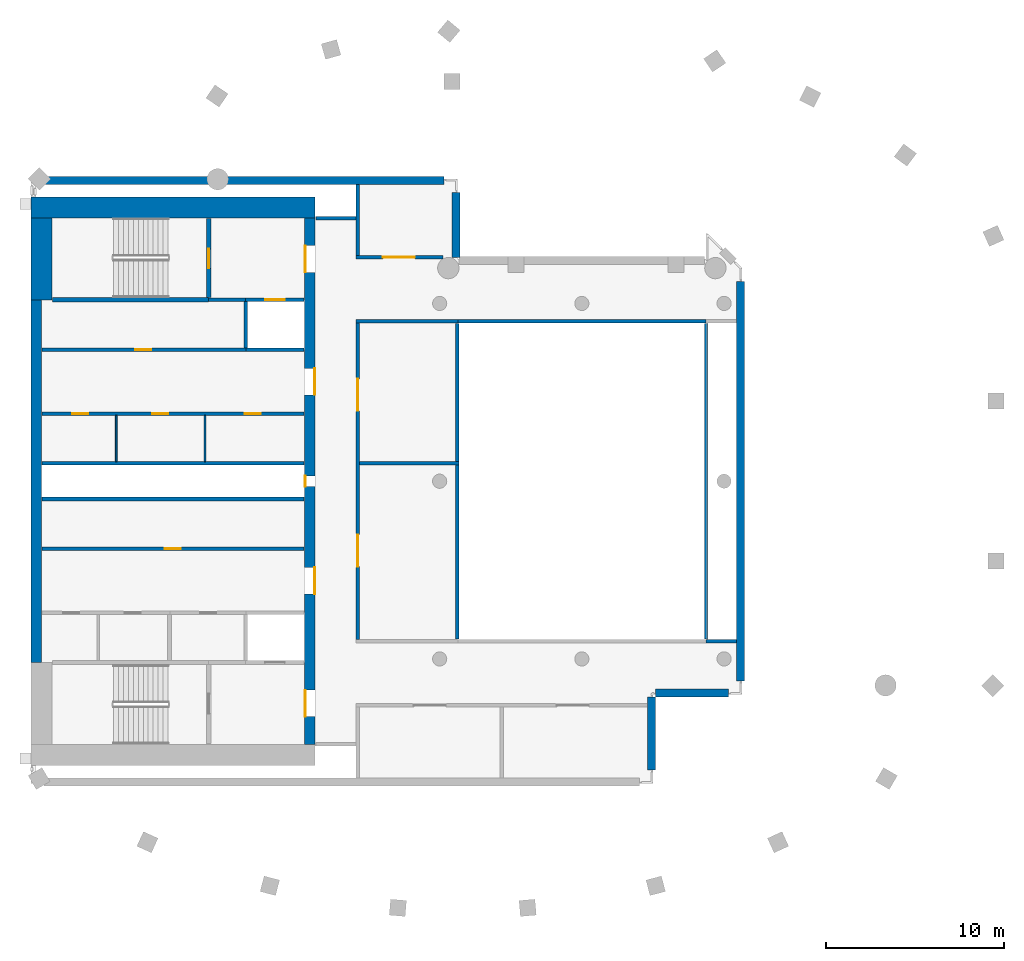
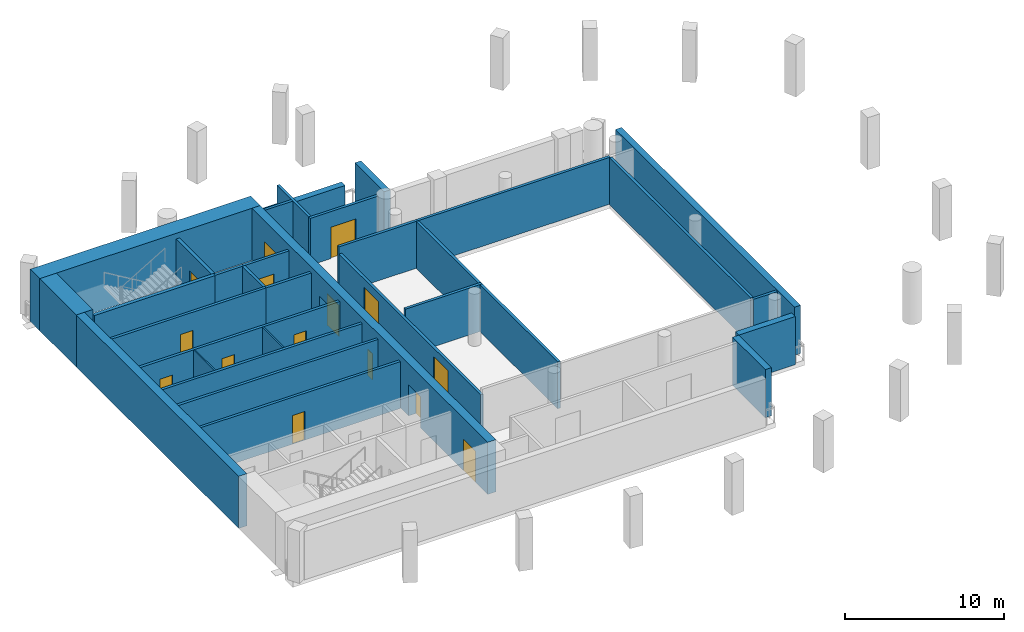
# One storey, part 2 of 8: 33 walls, 15 doors, 15 openings.
"""IFC4 building model written with IfcOpenShell, lengths in metres."""

from ifc_helpers import new_model, si_unit, direction, frame, frame_2d, origin, place, context, subcontext, project, spatial, rectangle, extrude, material, layer, layer_set, type_object, element, fill, save


model = new_model("IFC4")

# Units and contexts
model_context = context("Model", 3, precision=1e-05, world=origin(), true_north=direction((0.0, 1.0)))
body_context = subcontext(model_context, "Body", "Model", "MODEL_VIEW")
ifc_project = project(units=[si_unit("LENGTHUNIT", "METRE"), si_unit("AREAUNIT", "SQUARE_METRE"), si_unit("VOLUMEUNIT", "CUBIC_METRE"), si_unit("PLANEANGLEUNIT", "RADIAN"), si_unit("MASSUNIT", "GRAM", prefix="KILO")], contexts=[model_context])

# Site, building, storey
site_placement = place(None, origin())
site = spatial("IfcSite", under=ifc_project, at=site_placement, CompositionType="ELEMENT")
building_placement = place(site_placement, origin())
building = spatial("IfcBuilding", under=site, at=building_placement, Name="Cypress Arch Tower", CompositionType="ELEMENT")
storey_placement = place(building_placement, frame((0.0, 0.0, 339.0)))
storey = spatial("IfcBuildingStorey", under=building, at=storey_placement, Name="L77", CompositionType="ELEMENT", Elevation=339.0)

# Walls
ifc_material_1 = material(Name="Brick (red buff blend)", Category="masonry")
ifc_layer_1 = layer(ifc_material_1, 0.449951171875)
ifc_layer_set_1 = layer_set([ifc_layer_1], Name="Brick belt wall BW450-B")
wall_type_1 = type_object("IfcWallType", Name="Brick belt wall BW450-B", PredefinedType="SOLIDWALL", material=ifc_layer_set_1)
for number, where, z_axis, x_axis, name in (
    (1, (4.925048828125, -16.25, 0.0), (0.0, 0.0, 1.0), (0.0, 1.0, 0.0), "Brick wall L77 Kh01.0"),
    (2, (5.14990234375, -11.925048828125, 0.0), (0.0, 0.0, 1.0), (1.0, 0.0, 0.0), "Brick wall L77 Kh02.0"),
):
    element("IfcWall", number, at=place(storey_placement, frame(where, z_axis=z_axis, x_axis=x_axis)), inside=storey, type_object=wall_type_1, Name=name, PredefinedType="SOLIDWALL", context=body_context, shape_type="SweptSolid", body=[
        extrude(rectangle(XDim=4.10009765625, YDim=0.449951171875, at=frame_2d((2.050048828125, 0.0))), origin(), (0.0, 0.0, 1.0), 3.699951171875),
    ])
wall_1_placement = place(storey_placement, frame((9.925048828125, -11.25, 0.0), z_axis=(0.0, 0.0, 1.0), x_axis=(0.0, 1.0, 0.0)))
element("IfcWall", 3, at=wall_1_placement, inside=storey, type_object=wall_type_1, Name="Brick wall L77 Kh03.0", PredefinedType="SOLIDWALL", context=body_context, shape_type="SweptSolid", body=[
    extrude(rectangle(XDim=22.4892578125, YDim=0.449951171875, at=frame_2d((11.24462890625, 0.0))), origin(), (0.0, 0.0, 1.0), 3.699951171875),
])
wall_2_placement = place(storey_placement, frame((-6.074951171875, 12.587890625, 0.0), z_axis=(0.0, 0.0, 1.0), x_axis=(0.0, 1.0, 0.0)))
element("IfcWall", 4, at=wall_2_placement, inside=storey, type_object=wall_type_1, Name="Brick wall L77 Kh07.0", PredefinedType="SOLIDWALL", context=body_context, shape_type="SweptSolid", body=[
    extrude(rectangle(XDim=3.662109375, YDim=0.449951171875, at=frame_2d((1.8310546875, 0.0))), origin(), (0.0, 0.0, 1.0), 3.699951171875),
])
wall_3_placement = place(storey_placement, frame((-6.75, 16.925048828125, 0.0), z_axis=(0.0, 0.0, 1.0), x_axis=(-1.0, 0.0, 0.0)))
element("IfcWall", 5, at=wall_3_placement, inside=storey, type_object=wall_type_1, Name="Brick wall L77 Kh08.0", PredefinedType="SOLIDWALL", context=body_context, shape_type="SweptSolid", body=[
    extrude(rectangle(XDim=22.5, YDim=0.449951171875, at=frame_2d((11.25, 0.0))), origin(), (0.0, 0.0, 1.0), 1.85009765625),
])
ifc_material_2 = material(Name="Concrete C50/60", Category="concrete")
ifc_layer_2 = layer(ifc_material_2, 1.199951171875)
ifc_layer_set_2 = layer_set([ifc_layer_2], Name="Core wall CW1200 C50/60")
wall_type_2 = type_object("IfcWallType", Name="Core wall CW1200 C50/60", PredefinedType="SHEAR", material=ifc_layer_set_2)
wall_4_placement = place(storey_placement, frame((-30.0, 15.39990234375, 0.0), z_axis=(0.0, 0.0, 1.0), x_axis=(1.0, 0.0, 0.0)))
element("IfcWall", 6, at=wall_4_placement, inside=storey, type_object=wall_type_2, Name="Core wall", PredefinedType="SHEAR", context=body_context, shape_type="SweptSolid", body=[
    extrude(rectangle(XDim=16.0, YDim=1.199951171875, at=frame_2d((8.0, 0.0))), origin(), (0.0, 0.0, 1.0), 4.0),
])
wall_5_placement = place(storey_placement, frame((-29.39990234375, 10.199951171875, 0.0), z_axis=(0.0, 0.0, 1.0), x_axis=(0.0, 1.0, 0.0)))
element("IfcWall", 7, at=wall_5_placement, inside=storey, type_object=wall_type_2, Name="Core wall", PredefinedType="SHEAR", context=body_context, shape_type="SweptSolid", body=[
    extrude(rectangle(XDim=4.60009765625, YDim=1.199951171875, at=frame_2d((2.300048828125, 0.0))), origin(), (0.0, 0.0, 1.0), 4.0),
])

# Wall, openings, doors
ifc_material_3 = material(Name="Concrete C50/60", Category="concrete")
ifc_layer_3 = layer(ifc_material_3, 0.60009765625)
ifc_layer_set_3 = layer_set([ifc_layer_3], Name="Core wall CW600 C50/60")
wall_type_3 = type_object("IfcWallType", Name="Core wall CW600 C50/60", PredefinedType="SHEAR", material=ifc_layer_set_3)
wall_6_placement = place(storey_placement, frame((-14.300048828125, -14.800048828125, 0.0), z_axis=(0.0, 0.0, 1.0), x_axis=(0.0, 1.0, 0.0)))
wall_6 = element("IfcWall", 8, at=wall_6_placement, inside=storey, type_object=wall_type_3, Name="Core wall", PredefinedType="SHEAR", context=body_context, shape_type="SweptSolid", body=[
    extrude(rectangle(XDim=29.60009765625, YDim=0.60009765625, at=frame_2d((14.800048828125, 0.0))), origin(), (0.0, 0.0, 1.0), 4.0),
])
opening_1_placement = place(wall_6_placement, frame((1.550048828125, 0.0, 0.0)))
opening_1 = element("IfcOpeningElement", 9, at=opening_1_placement, cuts=wall_6, Name="Opening D07", PredefinedType="OPENING", context=body_context, shape_type="SweptSolid", body=[
    extrude(rectangle(XDim=1.5, YDim=2.39990234375, at=frame_2d((0.75, 1.199951171875))), frame((0.0, 0.31005859375, 0.0), z_axis=(0.0, -1.0, 0.0), x_axis=(1.0, 0.0, 0.0)), (0.0, 0.0, 1.0), 0.6201171875),
])
opening_2_placement = place(wall_6_placement, frame((26.550048828125, 0.0, 0.0)))
opening_2 = element("IfcOpeningElement", 10, at=opening_2_placement, cuts=wall_6, Name="Opening D07", PredefinedType="OPENING", context=body_context, shape_type="SweptSolid", body=[
    extrude(rectangle(XDim=1.5, YDim=2.39990234375, at=frame_2d((0.75, 1.199951171875))), frame((0.0, 0.31005859375, 0.0), z_axis=(0.0, -1.0, 0.0), x_axis=(1.0, 0.0, 0.0)), (0.0, 0.0, 1.0), 0.6201171875),
])
opening_3_placement = place(wall_6_placement, frame((8.449951171875, 0.0, 0.0)))
opening_3 = element("IfcOpeningElement", 11, at=opening_3_placement, cuts=wall_6, Name="Opening D07", PredefinedType="OPENING", context=body_context, shape_type="SweptSolid", body=[
    extrude(rectangle(XDim=1.5, YDim=2.39990234375, at=frame_2d((0.75, 1.199951171875))), frame((0.0, 0.31005859375, 0.0), z_axis=(0.0, -1.0, 0.0), x_axis=(1.0, 0.0, 0.0)), (0.0, 0.0, 1.0), 0.6201171875),
])
opening_4_placement = place(wall_6_placement, frame((19.64990234375, 0.0, 0.0)))
opening_4 = element("IfcOpeningElement", 12, at=opening_4_placement, cuts=wall_6, Name="Opening D07", PredefinedType="OPENING", context=body_context, shape_type="SweptSolid", body=[
    extrude(rectangle(XDim=1.5, YDim=2.39990234375, at=frame_2d((0.75, 1.199951171875))), frame((0.0, 0.31005859375, 0.0), z_axis=(0.0, -1.0, 0.0), x_axis=(1.0, 0.0, 0.0)), (0.0, 0.0, 1.0), 0.6201171875),
])
opening_5_placement = place(wall_6_placement, frame((14.5, 0.0, 0.0)))
opening_5 = element("IfcOpeningElement", 13, at=opening_5_placement, cuts=wall_6, Name="Opening D08", PredefinedType="OPENING", context=body_context, shape_type="SweptSolid", body=[
    extrude(rectangle(XDim=0.60009765625, YDim=2.0, at=frame_2d((0.300048828125, 1.0))), frame((0.0, 0.31005859375, 0.0), z_axis=(0.0, -1.0, 0.0), x_axis=(1.0, 0.0, 0.0)), (0.0, 0.0, 1.0), 0.6201171875),
])
ifc_material_4 = material(Name="Steel framed glazed door, fire resisting", Category="steel")
door_type_1 = type_object("IfcDoorType", Name="Lobby door D07 1500x2400", OperationType="DOUBLE_DOOR_SINGLE_SWING", PredefinedType="DOOR", material=ifc_material_4)
door_1_placement = place(opening_1_placement, origin())
door_1 = element("IfcDoor", 14, at=door_1_placement, inside=storey, type_object=door_type_1, Name="Lobby door", OperationType="DOUBLE_DOOR_SINGLE_SWING", OverallHeight=2.39990234375, OverallWidth=1.5, PredefinedType="DOOR", context=body_context, shape_type="SweptSolid", body=[
    extrude(rectangle(XDim=1.5, YDim=2.39990234375, at=frame_2d((0.75, 1.199951171875))), frame((0.0, 0.294921875, 0.0), z_axis=(0.0, -1.0, 0.0), x_axis=(1.0, 0.0, 0.0)), (0.0, 0.0, 1.0), 0.050048828125),
])
fill(opening_1, door_1)
door_2_placement = place(opening_2_placement, origin())
door_2 = element("IfcDoor", 15, at=door_2_placement, inside=storey, type_object=door_type_1, Name="Lobby door", OperationType="DOUBLE_DOOR_SINGLE_SWING", OverallHeight=2.39990234375, OverallWidth=1.5, PredefinedType="DOOR", context=body_context, shape_type="SweptSolid", body=[
    extrude(rectangle(XDim=1.5, YDim=2.39990234375, at=frame_2d((0.75, 1.199951171875))), frame((0.0, 0.294921875, 0.0), z_axis=(0.0, -1.0, 0.0), x_axis=(1.0, 0.0, 0.0)), (0.0, 0.0, 1.0), 0.050048828125),
])
fill(opening_2, door_2)
door_3_placement = place(opening_3_placement, origin())
door_3 = element("IfcDoor", 16, at=door_3_placement, inside=storey, type_object=door_type_1, Name="Lobby door", OperationType="DOUBLE_DOOR_SINGLE_SWING", OverallHeight=2.39990234375, OverallWidth=1.5, PredefinedType="DOOR", context=body_context, shape_type="SweptSolid", body=[
    extrude(rectangle(XDim=1.5, YDim=2.39990234375, at=frame_2d((0.75, 1.199951171875))), frame((0.0, -0.2451171875, 0.0), z_axis=(0.0, -1.0, 0.0), x_axis=(1.0, 0.0, 0.0)), (0.0, 0.0, 1.0), 0.050048828125),
])
fill(opening_3, door_3)
door_4_placement = place(opening_4_placement, origin())
door_4 = element("IfcDoor", 17, at=door_4_placement, inside=storey, type_object=door_type_1, Name="Lobby door", OperationType="DOUBLE_DOOR_SINGLE_SWING", OverallHeight=2.39990234375, OverallWidth=1.5, PredefinedType="DOOR", context=body_context, shape_type="SweptSolid", body=[
    extrude(rectangle(XDim=1.5, YDim=2.39990234375, at=frame_2d((0.75, 1.199951171875))), frame((0.0, -0.2451171875, 0.0), z_axis=(0.0, -1.0, 0.0), x_axis=(1.0, 0.0, 0.0)), (0.0, 0.0, 1.0), 0.050048828125),
])
fill(opening_4, door_4)
ifc_material_5 = material(Name="Steel access door, fire resisting", Category="steel")
door_type_2 = type_object("IfcDoorType", Name="Riser access door D08 600x2000", OperationType="SINGLE_SWING_LEFT", PredefinedType="DOOR", material=ifc_material_5)
door_5_placement = place(opening_5_placement, origin())
door_5 = element("IfcDoor", 18, at=door_5_placement, inside=storey, type_object=door_type_2, Name="Riser access door", OperationType="SINGLE_SWING_RIGHT", OverallHeight=2.0, OverallWidth=0.60009765625, PredefinedType="DOOR", context=body_context, shape_type="SweptSolid", body=[
    extrude(rectangle(XDim=0.60009765625, YDim=2.0, at=frame_2d((0.300048828125, 1.0))), frame((0.0, 0.294921875, 0.0), z_axis=(0.0, -1.0, 0.0), x_axis=(1.0, 0.0, 0.0)), (0.0, 0.0, 1.0), 0.050048828125),
])
fill(opening_5, door_5)

# Wall
wall_7_placement = place(storey_placement, frame((-29.699951171875, -10.199951171875, 0.0), z_axis=(0.0, 0.0, 1.0), x_axis=(0.0, 1.0, 0.0)))
element("IfcWall", 19, at=wall_7_placement, inside=storey, type_object=wall_type_3, Name="Core wall", PredefinedType="SHEAR", context=body_context, shape_type="SweptSolid", body=[
    extrude(rectangle(XDim=20.39990234375, YDim=0.60009765625, at=frame_2d((10.199951171875, 0.0))), origin(), (0.0, 0.0, 1.0), 4.0),
])

# Wall, opening, door
ifc_material_6 = material(Name="Concrete blockwork, plastered, rated", Category="masonry")
ifc_layer_4 = layer(ifc_material_6, 0.199951171875)
ifc_layer_set_4 = layer_set([ifc_layer_4], Name="Corridor wall FW200")
wall_type_4 = type_object("IfcWallType", Name="Corridor wall FW200", PredefinedType="PARTITIONING", material=ifc_layer_set_4)
wall_8_placement = place(storey_placement, frame((-29.3701171875, -3.800048828125, 0.0), z_axis=(0.0, 0.0, 1.0), x_axis=(1.0, 0.0, 0.0)))
wall_8 = element("IfcWall", 20, at=wall_8_placement, inside=storey, type_object=wall_type_4, Name="Corridor wall", PredefinedType="PARTITIONING", context=body_context, shape_type="SweptSolid", body=[
    extrude(rectangle(XDim=14.740234375, YDim=0.199951171875, at=frame_2d((7.3701171875, 0.0))), origin(), (0.0, 0.0, 1.0), 3.597900390625),
])
opening_6_placement = place(wall_8_placement, frame((6.89990234375, 0.0, 0.0)))
opening_6 = element("IfcOpeningElement", 21, at=opening_6_placement, cuts=wall_8, Name="Opening D05", PredefinedType="OPENING", context=body_context, shape_type="SweptSolid", body=[
    extrude(rectangle(XDim=0.89990234375, YDim=2.199951171875, at=frame_2d((0.449951171875, 1.10009765625))), frame((0.0, 0.10986328125, 0.0), z_axis=(0.0, -1.0, 0.0), x_axis=(1.0, 0.0, 0.0)), (0.0, 0.0, 1.0), 0.219970703125),
])
ifc_material_7 = material(Name="Timber flush door", Category="wood")
door_type_3 = type_object("IfcDoorType", Name="Service door D05 900x2200", OperationType="SINGLE_SWING_LEFT", PredefinedType="DOOR", material=ifc_material_7)
door_6_placement = place(opening_6_placement, origin())
door_6 = element("IfcDoor", 22, at=door_6_placement, inside=storey, type_object=door_type_3, Name="Service door", OperationType="SINGLE_SWING_LEFT", OverallHeight=2.199951171875, OverallWidth=0.89990234375, PredefinedType="DOOR", context=body_context, shape_type="SweptSolid", body=[
    extrude(rectangle(XDim=0.89990234375, YDim=2.199951171875, at=frame_2d((0.449951171875, 1.10009765625))), frame((0.0, 0.02490234375, 0.0), z_axis=(0.0, -1.0, 0.0), x_axis=(1.0, 0.0, 0.0)), (0.0, 0.0, 1.0), 0.050048828125),
])
fill(opening_6, door_6)

# Wall, openings, doors
wall_9_placement = place(storey_placement, frame((-29.3701171875, 3.800048828125, 0.0), z_axis=(0.0, 0.0, 1.0), x_axis=(1.0, 0.0, 0.0)))
wall_9 = element("IfcWall", 23, at=wall_9_placement, inside=storey, type_object=wall_type_4, Name="Corridor wall", PredefinedType="PARTITIONING", context=body_context, shape_type="SweptSolid", body=[
    extrude(rectangle(XDim=14.740234375, YDim=0.199951171875, at=frame_2d((7.3701171875, 0.0))), origin(), (0.0, 0.0, 1.0), 3.597900390625),
])
opening_7_placement = place(wall_9_placement, frame((1.699951171875, 0.0, 0.0)))
opening_7 = element("IfcOpeningElement", 24, at=opening_7_placement, cuts=wall_9, Name="Opening D05", PredefinedType="OPENING", context=body_context, shape_type="SweptSolid", body=[
    extrude(rectangle(XDim=0.89990234375, YDim=2.199951171875, at=frame_2d((0.449951171875, 1.10009765625))), frame((0.0, 0.10986328125, 0.0), z_axis=(0.0, -1.0, 0.0), x_axis=(1.0, 0.0, 0.0)), (0.0, 0.0, 1.0), 0.219970703125),
])
opening_8_placement = place(wall_9_placement, frame((6.199951171875, 0.0, 0.0)))
opening_8 = element("IfcOpeningElement", 25, at=opening_8_placement, cuts=wall_9, Name="Opening D05", PredefinedType="OPENING", context=body_context, shape_type="SweptSolid", body=[
    extrude(rectangle(XDim=0.89990234375, YDim=2.199951171875, at=frame_2d((0.449951171875, 1.10009765625))), frame((0.0, 0.10986328125, 0.0), z_axis=(0.0, -1.0, 0.0), x_axis=(1.0, 0.0, 0.0)), (0.0, 0.0, 1.0), 0.219970703125),
])
opening_9_placement = place(wall_9_placement, frame((11.39990234375, 0.0, 0.0)))
opening_9 = element("IfcOpeningElement", 26, at=opening_9_placement, cuts=wall_9, Name="Opening D05", PredefinedType="OPENING", context=body_context, shape_type="SweptSolid", body=[
    extrude(rectangle(XDim=0.89990234375, YDim=2.199951171875, at=frame_2d((0.449951171875, 1.10009765625))), frame((0.0, 0.10986328125, 0.0), z_axis=(0.0, -1.0, 0.0), x_axis=(1.0, 0.0, 0.0)), (0.0, 0.0, 1.0), 0.219970703125),
])
door_7_placement = place(opening_7_placement, origin())
door_7 = element("IfcDoor", 27, at=door_7_placement, inside=storey, type_object=door_type_3, Name="Service door", OperationType="SINGLE_SWING_LEFT", OverallHeight=2.199951171875, OverallWidth=0.89990234375, PredefinedType="DOOR", context=body_context, shape_type="SweptSolid", body=[
    extrude(rectangle(XDim=0.89990234375, YDim=2.199951171875, at=frame_2d((0.449951171875, 1.10009765625))), frame((0.0, 0.02490234375, 0.0), z_axis=(0.0, -1.0, 0.0), x_axis=(1.0, 0.0, 0.0)), (0.0, 0.0, 1.0), 0.050048828125),
])
fill(opening_7, door_7)
door_8_placement = place(opening_8_placement, origin())
door_8 = element("IfcDoor", 28, at=door_8_placement, inside=storey, type_object=door_type_3, Name="Service door", OperationType="SINGLE_SWING_RIGHT", OverallHeight=2.199951171875, OverallWidth=0.89990234375, PredefinedType="DOOR", context=body_context, shape_type="SweptSolid", body=[
    extrude(rectangle(XDim=0.89990234375, YDim=2.199951171875, at=frame_2d((0.449951171875, 1.10009765625))), frame((0.0, 0.02490234375, 0.0), z_axis=(0.0, -1.0, 0.0), x_axis=(1.0, 0.0, 0.0)), (0.0, 0.0, 1.0), 0.050048828125),
])
fill(opening_8, door_8)
door_9_placement = place(opening_9_placement, origin())
door_9 = element("IfcDoor", 29, at=door_9_placement, inside=storey, type_object=door_type_3, Name="Service door", OperationType="SINGLE_SWING_RIGHT", OverallHeight=2.199951171875, OverallWidth=0.89990234375, PredefinedType="DOOR", context=body_context, shape_type="SweptSolid", body=[
    extrude(rectangle(XDim=0.89990234375, YDim=2.199951171875, at=frame_2d((0.449951171875, 1.10009765625))), frame((0.0, 0.02490234375, 0.0), z_axis=(0.0, -1.0, 0.0), x_axis=(1.0, 0.0, 0.0)), (0.0, 0.0, 1.0), 0.050048828125),
])
fill(opening_9, door_9)

# Wall, opening, door
wall_10_placement = place(storey_placement, frame((-29.3701171875, 7.39990234375, 0.0), z_axis=(0.0, 0.0, 1.0), x_axis=(1.0, 0.0, 0.0)))
wall_10 = element("IfcWall", 30, at=wall_10_placement, inside=storey, type_object=wall_type_4, Name="Corridor wall", PredefinedType="PARTITIONING", context=body_context, shape_type="SweptSolid", body=[
    extrude(rectangle(XDim=11.47021484375, YDim=0.199951171875, at=frame_2d((5.735107421875, 0.0))), origin(), (0.0, 0.0, 1.0), 3.597900390625),
])
opening_10_placement = place(wall_10_placement, frame((5.25, 0.0, 0.0)))
opening_10 = element("IfcOpeningElement", 31, at=opening_10_placement, cuts=wall_10, Name="Opening D05", PredefinedType="OPENING", context=body_context, shape_type="SweptSolid", body=[
    extrude(rectangle(XDim=0.89990234375, YDim=2.199951171875, at=frame_2d((0.449951171875, 1.10009765625))), frame((0.0, 0.10986328125, 0.0), z_axis=(0.0, -1.0, 0.0), x_axis=(1.0, 0.0, 0.0)), (0.0, 0.0, 1.0), 0.219970703125),
])
door_10_placement = place(opening_10_placement, origin())
door_10 = element("IfcDoor", 32, at=door_10_placement, inside=storey, type_object=door_type_3, Name="Service door", OperationType="SINGLE_SWING_LEFT", OverallHeight=2.199951171875, OverallWidth=0.89990234375, PredefinedType="DOOR", context=body_context, shape_type="SweptSolid", body=[
    extrude(rectangle(XDim=0.89990234375, YDim=2.199951171875, at=frame_2d((0.449951171875, 1.10009765625))), frame((0.0, 0.02490234375, 0.0), z_axis=(0.0, -1.0, 0.0), x_axis=(1.0, 0.0, 0.0)), (0.0, 0.0, 1.0), 0.050048828125),
])
fill(opening_10, door_10)

# Walls
wall_11_placement = place(storey_placement, frame((-20.0, 10.199951171875, 0.0), z_axis=(0.0, 0.0, 1.0), x_axis=(1.0, 0.0, 0.0)))
element("IfcWall", 33, at=wall_11_placement, inside=storey, type_object=wall_type_4, Name="Corridor wall", PredefinedType="PARTITIONING", context=body_context, shape_type="SweptSolid", body=[
    extrude(rectangle(XDim=2.080078125, YDim=0.199951171875, at=frame_2d((1.0400390625, 0.0))), origin(), (0.0, 0.0, 1.0), 3.597900390625),
])
wall_12_placement = place(storey_placement, frame((-5.97998046875, 9.0, 0.0), z_axis=(0.0, 0.0, 1.0), x_axis=(1.0, 0.0, 0.0)))
element("IfcWall", 34, at=wall_12_placement, inside=storey, type_object=wall_type_4, Name="Corridor wall", PredefinedType="PARTITIONING", context=body_context, shape_type="SweptSolid", body=[
    extrude(rectangle(XDim=13.9599609375, YDim=0.199951171875, at=frame_2d((6.97998046875, 0.0))), origin(), (0.0, 0.0, 1.0), 3.597900390625),
])
ifc_material_8 = material(Name="Reinforced blockwork, plastered, rated", Category="masonry")
ifc_layer_5 = layer(ifc_material_8, 0.199951171875)
ifc_layer_set_5 = layer_set([ifc_layer_5], Name="Plant and riser wall PL200")
wall_type_5 = type_object("IfcWallType", Name="Plant and riser wall PL200", PredefinedType="PARTITIONING", material=ifc_layer_set_5)
for number, where, z_axis, x_axis, name in (
    (35, (-29.3701171875, -1.0, 0.0), (0.0, 0.0, 1.0), (1.0, 0.0, 0.0), "Plant and riser wall"),
    (36, (-29.3701171875, 1.0, 0.0), (0.0, 0.0, 1.0), (1.0, 0.0, 0.0), "Plant and riser wall"),
):
    element("IfcWall", number, at=place(storey_placement, frame(where, z_axis=z_axis, x_axis=x_axis)), inside=storey, type_object=wall_type_5, Name=name, PredefinedType="PARTITIONING", context=body_context, shape_type="SweptSolid", body=[
        extrude(rectangle(XDim=14.740234375, YDim=0.199951171875, at=frame_2d((7.3701171875, 0.0))), origin(), (0.0, 0.0, 1.0), 3.597900390625),
    ])
wall_13_placement = place(storey_placement, frame((-13.969970703125, 14.800048828125, 0.0), z_axis=(0.0, 0.0, 1.0), x_axis=(1.0, 0.0, 0.0)))
element("IfcWall", 37, at=wall_13_placement, inside=storey, type_object=wall_type_5, Name="Plant and riser wall", PredefinedType="PARTITIONING", context=body_context, shape_type="SweptSolid", body=[
    extrude(rectangle(XDim=2.27001953125, YDim=0.199951171875, at=frame_2d((1.135009765625, 0.0))), origin(), (0.0, 0.0, 1.0), 3.597900390625),
])

# Wall, openings, doors
wall_14_placement = place(storey_placement, frame((-11.60009765625, -8.89892578125, 0.0), z_axis=(0.0, 0.0, 1.0), x_axis=(0.0, 1.0, 0.0)))
wall_14 = element("IfcWall", 38, at=wall_14_placement, inside=storey, type_object=wall_type_5, Name="Plant and riser wall", PredefinedType="PARTITIONING", context=body_context, shape_type="SweptSolid", body=[
    extrude(rectangle(XDim=17.7978515625, YDim=0.199951171875, at=frame_2d((8.89892578125, 0.0))), origin(), (0.0, 0.0, 1.0), 3.050048828125),
])
opening_11_placement = place(wall_14_placement, frame((4.10009765625, 0.0, 0.0)))
opening_11 = element("IfcOpeningElement", 39, at=opening_11_placement, cuts=wall_14, Name="Opening D09", PredefinedType="OPENING", context=body_context, shape_type="SweptSolid", body=[
    extrude(rectangle(XDim=1.800048828125, YDim=2.39990234375, at=frame_2d((0.89990234375, 1.199951171875))), frame((0.0, 0.10986328125, 0.0), z_axis=(0.0, -1.0, 0.0), x_axis=(1.0, 0.0, 0.0)), (0.0, 0.0, 1.0), 0.219970703125),
])
opening_12_placement = place(wall_14_placement, frame((12.85009765625, 0.0, 0.0)))
opening_12 = element("IfcOpeningElement", 40, at=opening_12_placement, cuts=wall_14, Name="Opening D09", PredefinedType="OPENING", context=body_context, shape_type="SweptSolid", body=[
    extrude(rectangle(XDim=1.800048828125, YDim=2.39990234375, at=frame_2d((0.89990234375, 1.199951171875))), frame((0.0, 0.10986328125, 0.0), z_axis=(0.0, -1.0, 0.0), x_axis=(1.0, 0.0, 0.0)), (0.0, 0.0, 1.0), 0.219970703125),
])
ifc_material_9 = material(Name="Steel door, fire resisting", Category="steel")
door_type_4 = type_object("IfcDoorType", Name="Plant room door D09 1800x2400", OperationType="DOUBLE_DOOR_SINGLE_SWING", PredefinedType="DOOR", material=ifc_material_9)
door_11_placement = place(opening_11_placement, origin())
door_11 = element("IfcDoor", 41, at=door_11_placement, inside=storey, type_object=door_type_4, Name="Plant room door", OperationType="DOUBLE_DOOR_SINGLE_SWING", OverallHeight=2.39990234375, OverallWidth=1.800048828125, PredefinedType="DOOR", context=body_context, shape_type="SweptSolid", body=[
    extrude(rectangle(XDim=1.800048828125, YDim=2.39990234375, at=frame_2d((0.89990234375, 1.199951171875))), frame((0.0, 0.02490234375, 0.0), z_axis=(0.0, -1.0, 0.0), x_axis=(1.0, 0.0, 0.0)), (0.0, 0.0, 1.0), 0.050048828125),
])
fill(opening_11, door_11)
door_12_placement = place(opening_12_placement, origin())
door_12 = element("IfcDoor", 42, at=door_12_placement, inside=storey, type_object=door_type_4, Name="Plant room door", OperationType="DOUBLE_DOOR_SINGLE_SWING", OverallHeight=2.39990234375, OverallWidth=1.800048828125, PredefinedType="DOOR", context=body_context, shape_type="SweptSolid", body=[
    extrude(rectangle(XDim=1.800048828125, YDim=2.39990234375, at=frame_2d((0.89990234375, 1.199951171875))), frame((0.0, 0.02490234375, 0.0), z_axis=(0.0, -1.0, 0.0), x_axis=(1.0, 0.0, 0.0)), (0.0, 0.0, 1.0), 0.050048828125),
])
fill(opening_12, door_12)

# Walls
wall_15_placement = place(storey_placement, frame((-11.5, 1.0, 0.0), z_axis=(0.0, 0.0, 1.0), x_axis=(1.0, 0.0, 0.0)))
element("IfcWall", 43, at=wall_15_placement, inside=storey, type_object=wall_type_5, Name="Plant and riser wall", PredefinedType="PARTITIONING", context=body_context, shape_type="SweptSolid", body=[
    extrude(rectangle(XDim=5.60009765625, YDim=0.199951171875, at=frame_2d((2.800048828125, 0.0))), origin(), (0.0, 0.0, 1.0), 3.597900390625),
])
wall_16_placement = place(storey_placement, frame((-11.60009765625, 12.700927734375, 0.0), z_axis=(0.0, 0.0, 1.0), x_axis=(0.0, 1.0, 0.0)))
element("IfcWall", 44, at=wall_16_placement, inside=storey, type_object=wall_type_5, Name="Plant and riser wall", PredefinedType="PARTITIONING", context=body_context, shape_type="SweptSolid", body=[
    extrude(rectangle(XDim=3.9990234375, YDim=0.199951171875, at=frame_2d((1.99951171875, 0.0))), origin(), (0.0, 0.0, 1.0), 3.597900390625),
])
wall_17_placement = place(storey_placement, frame((-11.698974609375, 9.0, 0.0), z_axis=(0.0, 0.0, 1.0), x_axis=(1.0, 0.0, 0.0)))
element("IfcWall", 45, at=wall_17_placement, inside=storey, type_object=wall_type_5, Name="Plant and riser wall", PredefinedType="PARTITIONING", context=body_context, shape_type="SweptSolid", body=[
    extrude(rectangle(XDim=5.718994140625, YDim=0.199951171875, at=frame_2d((2.859375, 0.0))), origin(), (0.0, 0.0, 1.0), 3.597900390625),
])

# Wall, opening, door
wall_18_placement = place(storey_placement, frame((-11.698974609375, 12.60009765625, 0.0), z_axis=(0.0, 0.0, 1.0), x_axis=(1.0, 0.0, 0.0)))
wall_18 = element("IfcWall", 46, at=wall_18_placement, inside=storey, type_object=wall_type_5, Name="Plant and riser wall", PredefinedType="PARTITIONING", context=body_context, shape_type="SweptSolid", body=[
    extrude(rectangle(XDim=4.89892578125, YDim=0.199951171875, at=frame_2d((2.449462890625, 0.0))), origin(), (0.0, 0.0, 1.0), 3.597900390625),
])
opening_13_placement = place(wall_18_placement, frame((1.5, 0.0, 0.0)))
opening_13 = element("IfcOpeningElement", 47, at=opening_13_placement, cuts=wall_18, Name="Opening D09", PredefinedType="OPENING", context=body_context, shape_type="SweptSolid", body=[
    extrude(rectangle(XDim=1.800048828125, YDim=2.39990234375, at=frame_2d((0.89990234375, 1.199951171875))), frame((0.0, 0.10986328125, 0.0), z_axis=(0.0, -1.0, 0.0), x_axis=(1.0, 0.0, 0.0)), (0.0, 0.0, 1.0), 0.219970703125),
])
door_13_placement = place(opening_13_placement, origin())
door_13 = element("IfcDoor", 48, at=door_13_placement, inside=storey, type_object=door_type_4, Name="Plant room door", OperationType="DOUBLE_DOOR_SINGLE_SWING", OverallHeight=2.39990234375, OverallWidth=1.800048828125, PredefinedType="DOOR", context=body_context, shape_type="SweptSolid", body=[
    extrude(rectangle(XDim=1.800048828125, YDim=2.39990234375, at=frame_2d((0.89990234375, 1.199951171875))), frame((0.0, 0.02490234375, 0.0), z_axis=(0.0, -1.0, 0.0), x_axis=(1.0, 0.0, 0.0)), (0.0, 0.0, 1.0), 0.050048828125),
])
fill(opening_13, door_13)

# Walls
wall_19_placement = place(storey_placement, frame((-6.0, -8.8798828125, 0.0), z_axis=(0.0, 0.0, 1.0), x_axis=(0.0, 1.0, 0.0)))
element("IfcWall", 49, at=wall_19_placement, inside=storey, type_object=wall_type_5, Name="Plant and riser wall", PredefinedType="PARTITIONING", context=body_context, shape_type="SweptSolid", body=[
    extrude(rectangle(XDim=9.77978515625, YDim=0.199951171875, at=frame_2d((4.889892578125, 0.0))), origin(), (0.0, 0.0, 1.0), 3.597900390625),
])
wall_20_placement = place(storey_placement, frame((-6.0, 1.02001953125, 0.0), z_axis=(0.0, 0.0, 1.0), x_axis=(0.0, 1.0, 0.0)))
element("IfcWall", 50, at=wall_20_placement, inside=storey, type_object=wall_type_5, Name="Plant and riser wall", PredefinedType="PARTITIONING", context=body_context, shape_type="SweptSolid", body=[
    extrude(rectangle(XDim=7.85986328125, YDim=0.199951171875, at=frame_2d((3.929931640625, 0.0))), origin(), (0.0, 0.0, 1.0), 3.597900390625),
])
wall_21_placement = place(storey_placement, frame((7.97998046875, -9.0, 0.0), z_axis=(0.0, 0.0, 1.0), x_axis=(1.0, 0.0, 0.0)))
element("IfcWall", 51, at=wall_21_placement, inside=storey, type_object=wall_type_5, Name="Plant and riser wall", PredefinedType="PARTITIONING", context=body_context, shape_type="SweptSolid", body=[
    extrude(rectangle(XDim=1.719970703125, YDim=0.199951171875, at=frame_2d((0.85986328125, 0.0))), origin(), (0.0, 0.0, 1.0), 3.597900390625),
])
wall_22_placement = place(storey_placement, frame((8.0, -8.8798828125, 0.0), z_axis=(0.0, 0.0, 1.0), x_axis=(0.0, 1.0, 0.0)))
element("IfcWall", 52, at=wall_22_placement, inside=storey, type_object=wall_type_5, Name="Plant and riser wall", PredefinedType="PARTITIONING", context=body_context, shape_type="SweptSolid", body=[
    extrude(rectangle(XDim=17.759765625, YDim=0.199951171875, at=frame_2d((8.8798828125, 0.0))), origin(), (0.0, 0.0, 1.0), 3.597900390625),
])
ifc_material_10 = material(Name="Concrete C50/60", Category="concrete")
ifc_layer_6 = layer(ifc_material_10, 0.199951171875)
ifc_layer_set_6 = layer_set([ifc_layer_6], Name="Shaft wall SH200")
wall_type_6 = type_object("IfcWallType", Name="Shaft wall SH200", PredefinedType="SHEAR", material=ifc_layer_set_6)
wall_23_placement = place(storey_placement, frame((-17.919921875, 7.5, 0.0), z_axis=(0.0, 0.0, 1.0), x_axis=(0.0, 1.0, 0.0)))
element("IfcWall", 53, at=wall_23_placement, inside=storey, type_object=wall_type_6, Name="Shaft wall", PredefinedType="SHEAR", context=body_context, shape_type="SweptSolid", body=[
    extrude(rectangle(XDim=2.60009765625, YDim=0.199951171875, at=frame_2d((1.300048828125, 0.0))), origin(), (0.0, 0.0, 1.0), 3.597900390625),
])
wall_24_placement = place(storey_placement, frame((-17.89990234375, 7.39990234375, 0.0), z_axis=(0.0, 0.0, 1.0), x_axis=(1.0, 0.0, 0.0)))
element("IfcWall", 54, at=wall_24_placement, inside=storey, type_object=wall_type_6, Name="Shaft wall", PredefinedType="SHEAR", context=body_context, shape_type="SweptSolid", body=[
    extrude(rectangle(XDim=3.27001953125, YDim=0.199951171875, at=frame_2d((1.635009765625, 0.0))), origin(), (0.0, 0.0, 1.0), 3.597900390625),
])

# Wall, opening, door
wall_25_placement = place(storey_placement, frame((-17.919921875, 10.199951171875, 0.0), z_axis=(0.0, 0.0, 1.0), x_axis=(1.0, 0.0, 0.0)))
wall_25 = element("IfcWall", 55, at=wall_25_placement, inside=storey, type_object=wall_type_6, Name="Shaft wall", PredefinedType="SHEAR", context=body_context, shape_type="SweptSolid", body=[
    extrude(rectangle(XDim=3.2900390625, YDim=0.199951171875, at=frame_2d((1.64501953125, 0.0))), origin(), (0.0, 0.0, 1.0), 3.597900390625),
])
opening_14_placement = place(wall_25_placement, frame((1.10009765625, 0.0, 0.0)))
opening_14 = element("IfcOpeningElement", 56, at=opening_14_placement, cuts=wall_25, Name="Opening LD-FL2", PredefinedType="OPENING", context=body_context, shape_type="SweptSolid", body=[
    extrude(rectangle(XDim=1.10009765625, YDim=2.199951171875, at=frame_2d((0.550048828125, 1.10009765625))), frame((0.0, 0.10986328125, 0.0), z_axis=(0.0, -1.0, 0.0), x_axis=(1.0, 0.0, 0.0)), (0.0, 0.0, 1.0), 0.219970703125),
])
ifc_material_11 = material(Name="Stainless steel centre-opening landing door, rated", Category="steel")
door_type_5 = type_object("IfcDoorType", Name="Lift landing door LD 1100x2200", OperationType="DOUBLE_DOOR_SLIDING", PredefinedType="DOOR", material=ifc_material_11)
door_14_placement = place(opening_14_placement, origin())
door_14 = element("IfcDoor", 57, at=door_14_placement, inside=storey, type_object=door_type_5, Name="Lift landing doors FL2", OperationType="DOUBLE_DOOR_SLIDING", OverallHeight=2.199951171875, OverallWidth=1.10009765625, PredefinedType="DOOR", context=body_context, shape_type="SweptSolid", body=[
    extrude(rectangle(XDim=1.10009765625, YDim=2.199951171875, at=frame_2d((0.550048828125, 1.10009765625))), frame((0.0, 0.02490234375, 0.0), z_axis=(0.0, -1.0, 0.0), x_axis=(1.0, 0.0, 0.0)), (0.0, 0.0, 1.0), 0.050048828125),
])
fill(opening_14, door_14)

# Wall
ifc_material_12 = material(Name="Concrete C50/60", Category="concrete")
ifc_layer_7 = layer(ifc_material_12, 0.25)
ifc_layer_set_7 = layer_set([ifc_layer_7], Name="Stair enclosure wall SW250")
wall_type_7 = type_object("IfcWallType", Name="Stair enclosure wall SW250", PredefinedType="SHEAR", material=ifc_layer_set_7)
wall_26_placement = place(storey_placement, frame((-28.77001953125, 10.199951171875, 0.0), z_axis=(0.0, 0.0, 1.0), x_axis=(1.0, 0.0, 0.0)))
element("IfcWall", 58, at=wall_26_placement, inside=storey, type_object=wall_type_7, Name="Stair enclosure wall", PredefinedType="SHEAR", context=body_context, shape_type="SweptSolid", body=[
    extrude(rectangle(XDim=8.77001953125, YDim=0.25, at=frame_2d((4.385009765625, 0.0))), origin(), (0.0, 0.0, 1.0), 3.597900390625),
])

# Wall, opening, door
wall_27_placement = place(storey_placement, frame((-20.0, 10.324951171875, 0.0), z_axis=(0.0, 0.0, 1.0), x_axis=(0.0, 1.0, 0.0)))
wall_27 = element("IfcWall", 59, at=wall_27_placement, inside=storey, type_object=wall_type_7, Name="Stair enclosure wall", PredefinedType="SHEAR", context=body_context, shape_type="SweptSolid", body=[
    extrude(rectangle(XDim=4.445068359375, YDim=0.25, at=frame_2d((2.22265625, 0.0))), origin(), (0.0, 0.0, 1.0), 3.597900390625),
])
opening_15_placement = place(wall_27_placement, frame((1.64990234375, 0.0, 0.0)))
opening_15 = element("IfcOpeningElement", 60, at=opening_15_placement, cuts=wall_27, Name="Opening D06", PredefinedType="OPENING", context=body_context, shape_type="SweptSolid", body=[
    extrude(rectangle(XDim=1.10009765625, YDim=2.199951171875, at=frame_2d((0.550048828125, 1.10009765625))), frame((0.0, 0.135009765625, 0.0), z_axis=(0.0, -1.0, 0.0), x_axis=(1.0, 0.0, 0.0)), (0.0, 0.0, 1.0), 0.27001953125),
])
ifc_material_13 = material(Name="Steel door, fire resisting, panic bar", Category="steel")
door_type_6 = type_object("IfcDoorType", Name="Stair door D06 1100x2200", OperationType="SINGLE_SWING_LEFT", PredefinedType="DOOR", material=ifc_material_13)
door_15_placement = place(opening_15_placement, origin())
door_15 = element("IfcDoor", 61, at=door_15_placement, inside=storey, type_object=door_type_6, Name="Stair door", OperationType="SINGLE_SWING_LEFT", OverallHeight=2.199951171875, OverallWidth=1.10009765625, PredefinedType="DOOR", context=body_context, shape_type="SweptSolid", body=[
    extrude(rectangle(XDim=1.10009765625, YDim=2.199951171875, at=frame_2d((0.550048828125, 1.10009765625))), frame((0.0, 0.02490234375, 0.0), z_axis=(0.0, -1.0, 0.0), x_axis=(1.0, 0.0, 0.0)), (0.0, 0.0, 1.0), 0.050048828125),
])
fill(opening_15, door_15)

# Walls
ifc_material_14 = material(Name="Moisture resistant board on steel studs, tiled", Category="steel")
ifc_layer_8 = layer(ifc_material_14, 0.10009765625)
ifc_layer_set_8 = layer_set([ifc_layer_8], Name="Wet wall PW100")
wall_type_8 = type_object("IfcWallType", Name="Wet wall PW100", PredefinedType="PARTITIONING", material=ifc_layer_set_8)
for number, where, z_axis, x_axis, name in (
    (62, (-25.199951171875, 1.10009765625, 0.0), (0.0, 0.0, 1.0), (0.0, 1.0, 0.0), "Wet wall"),
    (63, (-20.199951171875, 1.10009765625, 0.0), (0.0, 0.0, 1.0), (0.0, 1.0, 0.0), "Wet wall"),
):
    element("IfcWall", number, at=place(storey_placement, frame(where, z_axis=z_axis, x_axis=x_axis)), inside=storey, type_object=wall_type_8, Name=name, PredefinedType="PARTITIONING", context=body_context, shape_type="SweptSolid", body=[
        extrude(rectangle(XDim=2.599853515625, YDim=0.10009765625, at=frame_2d((1.2998046875, 0.0))), origin(), (0.0, 0.0, 1.0), 3.597900390625),
    ])

save(model, "model.ifc")
